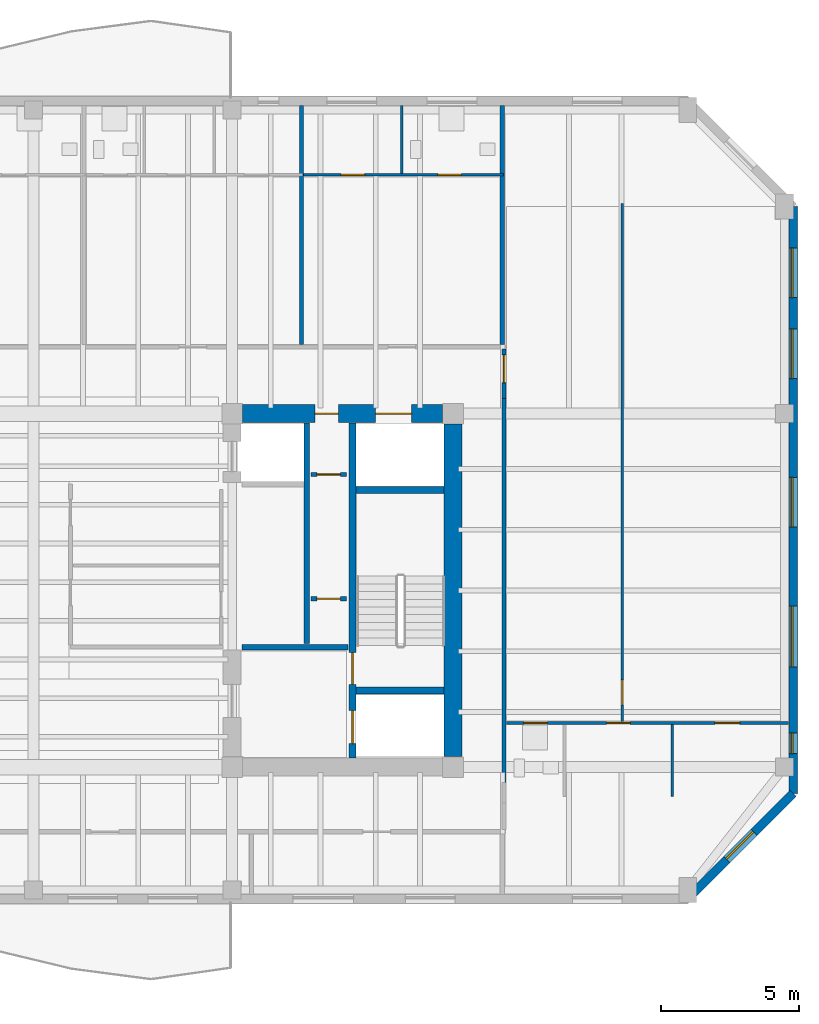
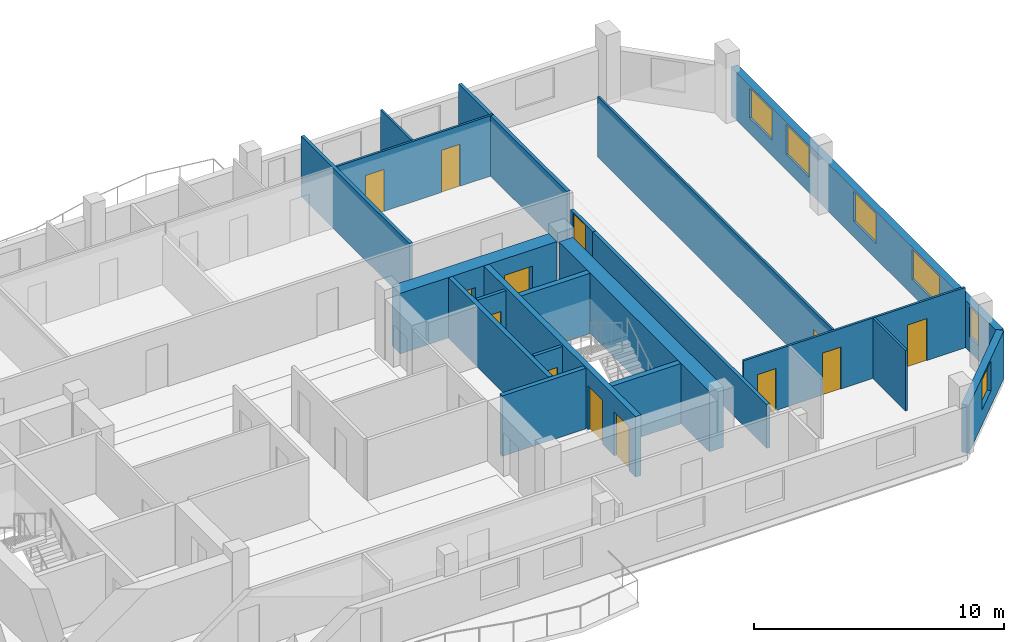
# One storey, part 6 of 10: 20 walls, 13 doors, 6 windows, 19 openings.
"""IFC4 building model written with IfcOpenShell, lengths in metres."""

from ifc_helpers import new_model, si_unit, direction, frame, frame_2d, origin, place, context, subcontext, project, spatial, rectangle, extrude, material, layer, layer_set, type_object, element, fill, save


model = new_model("IFC4")

# Units and contexts
model_context = context("Model", 3, precision=1e-05, world=origin(), true_north=direction((0.0, 1.0)))
body_context = subcontext(model_context, "Body", "Model", "MODEL_VIEW")
ifc_project = project(units=[si_unit("LENGTHUNIT", "METRE"), si_unit("AREAUNIT", "SQUARE_METRE"), si_unit("VOLUMEUNIT", "CUBIC_METRE"), si_unit("PLANEANGLEUNIT", "RADIAN"), si_unit("MASSUNIT", "GRAM", prefix="KILO")], contexts=[model_context])

# Site, building, storey
site_placement = place(None, origin())
site = spatial("IfcSite", under=ifc_project, at=site_placement, CompositionType="ELEMENT")
building_placement = place(site_placement, origin())
building = spatial("IfcBuilding", under=site, at=building_placement, Name="Kranthara Brick Stack", CompositionType="ELEMENT")
storey_placement = place(building_placement, frame((0.0, 0.0, 265.300048828125)))
storey = spatial("IfcBuildingStorey", under=building, at=storey_placement, Name="L70", CompositionType="ELEMENT", Elevation=265.300048828125)

# Wall, openings, windows
ifc_material_1 = material(Name="Warm buff clay brick masonry M15", Category="masonry")
ifc_layer_1 = layer(ifc_material_1, 0.320068359375)
ifc_layer_set_1 = layer_set([ifc_layer_1], Name="Warm buff clay brick masonry M15")
wall_type_1 = type_object("IfcWallType", Name="WL-BRK-UPPR-320", PredefinedType="STANDARD", material=ifc_layer_set_1)
wall_1_placement = place(storey_placement, frame((55.52001953125, 41.10009765625, 0.0), z_axis=(0.0, 0.0, 1.0), x_axis=(0.0, -1.0, 0.0)))
wall_1 = element("IfcWall", 1, at=wall_1_placement, inside=storey, type_object=wall_type_1, Name="L70 Exterior Brick Facade Wall EAST 1", PredefinedType="STANDARD", context=body_context, shape_type="SweptSolid", body=[
    extrude(rectangle(XDim=21.25, YDim=0.320068359375, at=frame_2d((10.625, 0.0))), origin(), (0.0, 0.0, 1.0), 2.3349609375),
])
opening_1_placement = place(wall_1_placement, frame((1.492919921875, 0.0, 0.75)))
opening_1 = element("IfcOpeningElement", 2, at=opening_1_placement, cuts=wall_1, Name="Opening WN07", PredefinedType="OPENING", context=body_context, shape_type="SweptSolid", body=[
    extrude(rectangle(XDim=1.800048828125, YDim=1.465087890625, at=frame_2d((0.89990234375, 0.732421875))), frame((0.0, 0.169921875, 0.0), z_axis=(0.0, -1.0, 0.0), x_axis=(1.0, 0.0, 0.0)), (0.0, 0.0, 1.0), 0.340087890625),
])
opening_2_placement = place(wall_1_placement, frame((4.431884765625, 0.0, 0.75)))
opening_2 = element("IfcOpeningElement", 3, at=opening_2_placement, cuts=wall_1, Name="Opening WN07", PredefinedType="OPENING", context=body_context, shape_type="SweptSolid", body=[
    extrude(rectangle(XDim=1.800048828125, YDim=1.465087890625, at=frame_2d((0.89990234375, 0.732421875))), frame((0.0, 0.169921875, 0.0), z_axis=(0.0, -1.0, 0.0), x_axis=(1.0, 0.0, 0.0)), (0.0, 0.0, 1.0), 0.340087890625),
])
opening_3_placement = place(wall_1_placement, frame((9.806884765625, 0.0, 0.75)))
opening_3 = element("IfcOpeningElement", 4, at=opening_3_placement, cuts=wall_1, Name="Opening WN07", PredefinedType="OPENING", context=body_context, shape_type="SweptSolid", body=[
    extrude(rectangle(XDim=1.800048828125, YDim=1.465087890625, at=frame_2d((0.89990234375, 0.732421875))), frame((0.0, 0.169921875, 0.0), z_axis=(0.0, -1.0, 0.0), x_axis=(1.0, 0.0, 0.0)), (0.0, 0.0, 1.0), 0.340087890625),
])
opening_4_placement = place(wall_1_placement, frame((14.468017578125, 0.0, 0.75)))
opening_4 = element("IfcOpeningElement", 5, at=opening_4_placement, cuts=wall_1, Name="Opening WN08", PredefinedType="OPENING", context=body_context, shape_type="SweptSolid", body=[
    extrude(rectangle(XDim=2.199951171875, YDim=1.465087890625, at=frame_2d((1.10009765625, 0.732421875))), frame((0.0, 0.169921875, 0.0), z_axis=(0.0, -1.0, 0.0), x_axis=(1.0, 0.0, 0.0)), (0.0, 0.0, 1.0), 0.340087890625),
])
opening_5_placement = place(wall_1_placement, frame((19.06201171875, 0.0, 0.75)))
opening_5 = element("IfcOpeningElement", 6, at=opening_5_placement, cuts=wall_1, Name="Opening WN13", PredefinedType="OPENING", context=body_context, shape_type="SweptSolid", body=[
    extrude(rectangle(XDim=0.75, YDim=1.449951171875, at=frame_2d((0.375, 0.72509765625))), frame((0.0, 0.169921875, 0.0), z_axis=(0.0, -1.0, 0.0), x_axis=(1.0, 0.0, 0.0)), (0.0, 0.0, 1.0), 0.340087890625),
])
ifc_material_2 = material(Name="Double-glazed low-E solar control glass", Category="glass")
window_type_1 = type_object("IfcWindowType", Name="WN-CAS-750x1450", PartitioningType="SINGLE_PANEL", PredefinedType="WINDOW", material=ifc_material_2)
window_1_placement = place(opening_5_placement, origin())
window_1 = element("IfcWindow", 7, at=window_1_placement, inside=storey, type_object=window_type_1, Name="L70 East Deep-Set Casement Window 05", OverallHeight=1.449951171875, OverallWidth=0.75, PartitioningType="SINGLE_PANEL", PredefinedType="WINDOW", context=body_context, shape_type="SweptSolid", body=[
    extrude(rectangle(XDim=0.75, YDim=1.449951171875, at=frame_2d((0.375, 0.72509765625))), frame((0.0, -0.010009765625, 0.0), z_axis=(0.0, -1.0, 0.0), x_axis=(1.0, 0.0, 0.0)), (0.0, 0.0, 1.0), 0.06005859375),
])
fill(opening_5, window_1)
ifc_material_3 = material(Name="Double-glazed low-E solar control glass", Category="glass")
window_type_2 = type_object("IfcWindowType", Name="WN-RES-1800x1850", PartitioningType="DOUBLE_PANEL_VERTICAL", PredefinedType="WINDOW", material=ifc_material_3)
window_2_placement = place(opening_1_placement, origin())
window_2 = element("IfcWindow", 8, at=window_2_placement, inside=storey, type_object=window_type_2, Name="L70 East Deep-Set Brick Window 01", OverallHeight=1.465087890625, OverallWidth=1.800048828125, PartitioningType="SINGLE_PANEL", PredefinedType="WINDOW", context=body_context, shape_type="SweptSolid", body=[
    extrude(rectangle(XDim=1.800048828125, YDim=1.465087890625, at=frame_2d((0.89990234375, 0.732421875))), frame((0.0, -0.010009765625, 0.0), z_axis=(0.0, -1.0, 0.0), x_axis=(1.0, 0.0, 0.0)), (0.0, 0.0, 1.0), 0.06005859375),
])
fill(opening_1, window_2)
window_3_placement = place(opening_2_placement, origin())
window_3 = element("IfcWindow", 9, at=window_3_placement, inside=storey, type_object=window_type_2, Name="L70 East Deep-Set Brick Window 02", OverallHeight=1.465087890625, OverallWidth=1.800048828125, PartitioningType="SINGLE_PANEL", PredefinedType="WINDOW", context=body_context, shape_type="SweptSolid", body=[
    extrude(rectangle(XDim=1.800048828125, YDim=1.465087890625, at=frame_2d((0.89990234375, 0.732421875))), frame((0.0, -0.010009765625, 0.0), z_axis=(0.0, -1.0, 0.0), x_axis=(1.0, 0.0, 0.0)), (0.0, 0.0, 1.0), 0.06005859375),
])
fill(opening_2, window_3)
window_4_placement = place(opening_3_placement, origin())
window_4 = element("IfcWindow", 10, at=window_4_placement, inside=storey, type_object=window_type_2, Name="L70 East Deep-Set Brick Window 03", OverallHeight=1.465087890625, OverallWidth=1.800048828125, PartitioningType="SINGLE_PANEL", PredefinedType="WINDOW", context=body_context, shape_type="SweptSolid", body=[
    extrude(rectangle(XDim=1.800048828125, YDim=1.465087890625, at=frame_2d((0.89990234375, 0.732421875))), frame((0.0, -0.010009765625, 0.0), z_axis=(0.0, -1.0, 0.0), x_axis=(1.0, 0.0, 0.0)), (0.0, 0.0, 1.0), 0.06005859375),
])
fill(opening_3, window_4)
ifc_material_4 = material(Name="Double-glazed low-E solar control glass", Category="glass")
window_type_3 = type_object("IfcWindowType", Name="WN-RES-2200x1850", PartitioningType="TRIPLE_PANEL_VERTICAL", PredefinedType="WINDOW", material=ifc_material_4)
window_5_placement = place(opening_4_placement, origin())
window_5 = element("IfcWindow", 11, at=window_5_placement, inside=storey, type_object=window_type_3, Name="L70 East Deep-Set Brick Window 04", OverallHeight=1.465087890625, OverallWidth=2.199951171875, PartitioningType="SINGLE_PANEL", PredefinedType="WINDOW", context=body_context, shape_type="SweptSolid", body=[
    extrude(rectangle(XDim=2.199951171875, YDim=1.465087890625, at=frame_2d((1.10009765625, 0.732421875))), frame((0.0, -0.010009765625, 0.0), z_axis=(0.0, -1.0, 0.0), x_axis=(1.0, 0.0, 0.0)), (0.0, 0.0, 1.0), 0.06005859375),
])
fill(opening_4, window_5)

# Wall, opening, window
wall_2_placement = place(storey_placement, frame((55.52001953125, 19.85009765625, 0.0), z_axis=(0.0, 0.0, 1.0), x_axis=(-0.707106781187, -0.707106781187, 0.0)))
wall_2 = element("IfcWall", 12, at=wall_2_placement, inside=storey, type_object=wall_type_1, Name="L70 Exterior Brick Facade Wall SE 1", PredefinedType="STANDARD", context=body_context, shape_type="SweptSolid", body=[
    extrude(rectangle(XDim=5.40234375, YDim=0.320068359375, at=frame_2d((2.701171875, 0.0))), origin(), (0.0, 0.0, 1.0), 2.3349609375),
])
opening_6_placement = place(wall_2_placement, frame((2.0009765625, 0.0, 0.75)))
opening_6 = element("IfcOpeningElement", 13, at=opening_6_placement, cuts=wall_2, Name="Opening WN10", PredefinedType="OPENING", context=body_context, shape_type="SweptSolid", body=[
    extrude(rectangle(XDim=1.39990234375, YDim=1.465087890625, at=frame_2d((0.699951171875, 0.732421875))), frame((0.0, 0.169921875, 0.0), z_axis=(0.0, -1.0, 0.0), x_axis=(1.0, 0.0, 0.0)), (0.0, 0.0, 1.0), 0.340087890625),
])
ifc_material_5 = material(Name="Double-glazed low-E solar control glass", Category="glass")
window_type_4 = type_object("IfcWindowType", Name="WN-CHM-1400x1750", PartitioningType="SINGLE_PANEL", PredefinedType="WINDOW", material=ifc_material_5)
window_6_placement = place(opening_6_placement, origin())
window_6 = element("IfcWindow", 14, at=window_6_placement, inside=storey, type_object=window_type_4, Name="L70 SE Chamfer Corner Window", OverallHeight=1.465087890625, OverallWidth=1.39990234375, PartitioningType="SINGLE_PANEL", PredefinedType="WINDOW", context=body_context, shape_type="SweptSolid", body=[
    extrude(rectangle(XDim=1.39990234375, YDim=1.465087890625, at=frame_2d((0.699951171875, 0.732421875))), frame((0.0, -0.010009765625, 0.0), z_axis=(0.0, -1.0, 0.0), x_axis=(1.0, 0.0, 0.0)), (0.0, 0.0, 1.0), 0.06005859375),
])
fill(opening_6, window_6)

# Wall, openings, doors
ifc_material_6 = material(Name="Concrete C50/60", Category="concrete")
ifc_layer_2 = layer(ifc_material_6, 0.25)
ifc_layer_set_2 = layer_set([ifc_layer_2], Name="Concrete C50/60")
wall_type_2 = type_object("IfcWallType", Name="WL-CORE-250", PredefinedType="SHEAR", material=ifc_layer_set_2)
wall_3_placement = place(storey_placement, frame((39.56494140625, 21.135009765625, 0.0), z_axis=(0.0, 0.0, 1.0), x_axis=(0.0, 1.0, 0.0)))
wall_3 = element("IfcWall", 15, at=wall_3_placement, inside=storey, type_object=wall_type_2, Name="L70 East Core Stair Bearing Spine Wall", PredefinedType="SHEAR", context=body_context, shape_type="SweptSolid", body=[
    extrude(rectangle(XDim=12.1298828125, YDim=0.25, at=frame_2d((6.06494140625, 0.0))), origin(), (0.0, 0.0, 1.0), 2.949951171875),
])
opening_7_placement = place(wall_3_placement, frame((0.514892578125, 0.0, 0.0)))
opening_7 = element("IfcOpeningElement", 16, at=opening_7_placement, cuts=wall_3, Name="Opening LD01", PredefinedType="OPENING", context=body_context, shape_type="SweptSolid", body=[
    extrude(rectangle(XDim=1.199951171875, YDim=2.14990234375, at=frame_2d((0.60009765625, 1.074951171875))), frame((0.0, 0.135009765625, 0.0), z_axis=(0.0, -1.0, 0.0), x_axis=(1.0, 0.0, 0.0)), (0.0, 0.0, 1.0), 0.27001953125),
])
opening_8_placement = place(wall_3_placement, frame((2.6650390625, 0.0, 0.0)))
opening_8 = element("IfcOpeningElement", 17, at=opening_8_placement, cuts=wall_3, Name="Opening D05", PredefinedType="OPENING", context=body_context, shape_type="SweptSolid", body=[
    extrude(rectangle(XDim=1.14990234375, YDim=2.14990234375, at=frame_2d((0.574951171875, 1.074951171875))), frame((0.0, 0.135009765625, 0.0), z_axis=(0.0, -1.0, 0.0), x_axis=(1.0, 0.0, 0.0)), (0.0, 0.0, 1.0), 0.27001953125),
])
ifc_material_7 = material(Name="Stainless steel sliding landing door", Category="steel")
door_type_1 = type_object("IfcDoorType", Name="DR-LD-FF1200", OperationType="DOUBLE_DOOR_SLIDING", PredefinedType="DOOR", material=ifc_material_7)
door_1_placement = place(opening_7_placement, origin())
door_1 = element("IfcDoor", 18, at=door_1_placement, inside=storey, type_object=door_type_1, Name="L70 Firefighting Lift FF-02 Landing Door", OperationType="DOUBLE_DOOR_SLIDING", OverallHeight=2.14990234375, OverallWidth=1.199951171875, PredefinedType="DOOR", context=body_context, shape_type="SweptSolid", body=[
    extrude(rectangle(XDim=1.199951171875, YDim=2.14990234375, at=frame_2d((0.60009765625, 1.074951171875))), frame((0.0, 0.02490234375, 0.0), z_axis=(0.0, -1.0, 0.0), x_axis=(1.0, 0.0, 0.0)), (0.0, 0.0, 1.0), 0.050048828125),
])
fill(opening_7, door_1)
ifc_material_8 = material(Name="Solid-core hardwood timber leaf in steel frame", Category="steel")
door_type_2 = type_object("IfcDoorType", Name="DR-ST-1150", OperationType="NOTDEFINED", PredefinedType="DOOR", material=ifc_material_8)
door_2_placement = place(opening_8_placement, origin())
door_2 = element("IfcDoor", 19, at=door_2_placement, inside=storey, type_object=door_type_2, Name="L70 Exit Stair ST02 Door", OperationType="SINGLE_SWING_LEFT", OverallHeight=2.14990234375, OverallWidth=1.14990234375, PredefinedType="DOOR", context=body_context, shape_type="SweptSolid", body=[
    extrude(rectangle(XDim=1.14990234375, YDim=2.14990234375, at=frame_2d((0.574951171875, 1.074951171875))), frame((0.0, 0.02490234375, 0.0), z_axis=(0.0, -1.0, 0.0), x_axis=(1.0, 0.0, 0.0)), (0.0, 0.0, 1.0), 0.050048828125),
])
fill(opening_8, door_2)

# Walls
for number, where, z_axis, x_axis, name in (
    (20, (39.68994140625, 23.570068359375, 0.0), (0.0, 0.0, 1.0), (1.0, 0.0, 0.0), "L70 East Stairwell Bearing Wall EFF"),
    (21, (39.68994140625, 30.830078125, 0.0), (0.0, 0.0, 1.0), (1.0, 0.0, 0.0), "L70 East Stairwell Bearing Wall EST"),
):
    element("IfcWall", number, at=place(storey_placement, frame(where, z_axis=z_axis, x_axis=x_axis)), inside=storey, type_object=wall_type_2, Name=name, PredefinedType="SHEAR", context=body_context, shape_type="SweptSolid", body=[
        extrude(rectangle(XDim=3.175048828125, YDim=0.25, at=frame_2d((1.58740234375, 0.0))), origin(), (0.0, 0.0, 1.0), 2.949951171875),
    ])
ifc_material_9 = material(Name="Concrete C60/75", Category="concrete")
ifc_layer_3 = layer(ifc_material_9, 0.64990234375)
ifc_layer_set_3 = layer_set([ifc_layer_3], Name="Concrete C60/75")
wall_type_3 = type_object("IfcWallType", Name="WL-CORE-650", PredefinedType="SHEAR", material=ifc_layer_set_3)
wall_4_placement = place(storey_placement, frame((43.199951171875, 21.179931640625, 0.0), z_axis=(0.0, 0.0, 1.0), x_axis=(0.0, 1.0, 0.0)))
element("IfcWall", 22, at=wall_4_placement, inside=storey, type_object=wall_type_3, Name="L70 East Core Shear Wall East", PredefinedType="SHEAR", context=body_context, shape_type="SweptSolid", body=[
    extrude(rectangle(XDim=12.0400390625, YDim=0.64990234375, at=frame_2d((6.02001953125, 0.0))), origin(), (0.0, 0.0, 1.0), 2.949951171875),
])

# Wall, openings, doors
wall_5_placement = place(storey_placement, frame((35.580078125, 33.60009765625, 0.0), z_axis=(0.0, 0.0, 1.0), x_axis=(1.0, 0.0, 0.0)))
wall_5 = element("IfcWall", 23, at=wall_5_placement, inside=storey, type_object=wall_type_3, Name="L70 East Core Shear Wall North", PredefinedType="SHEAR", context=body_context, shape_type="SweptSolid", body=[
    extrude(rectangle(XDim=7.239990234375, YDim=0.64990234375, at=frame_2d((3.6201171875, 0.0))), origin(), (0.0, 0.0, 1.0), 2.949951171875),
])
opening_9_placement = place(wall_5_placement, frame((4.820068359375, 0.0, 0.0)))
opening_9 = element("IfcOpeningElement", 24, at=opening_9_placement, cuts=wall_5, Name="Opening LD03", PredefinedType="OPENING", context=body_context, shape_type="SweptSolid", body=[
    extrude(rectangle(XDim=1.300048828125, YDim=2.14990234375, at=frame_2d((0.64990234375, 1.074951171875))), frame((0.0, 0.3349609375, 0.0), z_axis=(0.0, -1.0, 0.0), x_axis=(1.0, 0.0, 0.0)), (0.0, 0.0, 1.0), 0.669921875),
])
opening_10_placement = place(wall_5_placement, frame((2.6201171875, 0.0, 0.0)))
opening_10 = element("IfcOpeningElement", 25, at=opening_10_placement, cuts=wall_5, Name="Opening D10", PredefinedType="OPENING", context=body_context, shape_type="SweptSolid", body=[
    extrude(rectangle(XDim=0.85009765625, YDim=2.02001953125, at=frame_2d((0.425048828125, 1.010009765625))), frame((0.0, 0.3349609375, 0.0), z_axis=(0.0, -1.0, 0.0), x_axis=(1.0, 0.0, 0.0)), (0.0, 0.0, 1.0), 0.669921875),
])
ifc_material_10 = material(Name="Stainless steel sliding landing door", Category="steel")
door_type_3 = type_object("IfcDoorType", Name="DR-LD-SV1300", OperationType="DOUBLE_DOOR_SLIDING", PredefinedType="DOOR", material=ifc_material_10)
door_3_placement = place(opening_9_placement, origin())
door_3 = element("IfcDoor", 26, at=door_3_placement, inside=storey, type_object=door_type_3, Name="L70 Stretcher Service Lift SV-01 Landing Door", OperationType="DOUBLE_DOOR_SLIDING", OverallHeight=2.14990234375, OverallWidth=1.300048828125, PredefinedType="DOOR", context=body_context, shape_type="SweptSolid", body=[
    extrude(rectangle(XDim=1.300048828125, YDim=2.14990234375, at=frame_2d((0.64990234375, 1.074951171875))), frame((0.0, 0.02490234375, 0.0), z_axis=(0.0, -1.0, 0.0), x_axis=(1.0, 0.0, 0.0)), (0.0, 0.0, 1.0), 0.050048828125),
])
fill(opening_9, door_3)
ifc_material_11 = material(Name="Solid-core hardwood timber leaf in steel frame", Category="steel")
door_type_4 = type_object("IfcDoorType", Name="DR-RSR-850", OperationType="NOTDEFINED", PredefinedType="DOOR", material=ifc_material_11)
door_4_placement = place(opening_10_placement, origin())
door_4 = element("IfcDoor", 27, at=door_4_placement, inside=storey, type_object=door_type_4, Name="L70 East Core Service Room Door", OperationType="SINGLE_SWING_LEFT", OverallHeight=2.02001953125, OverallWidth=0.85009765625, PredefinedType="DOOR", context=body_context, shape_type="SweptSolid", body=[
    extrude(rectangle(XDim=0.85009765625, YDim=2.02001953125, at=frame_2d((0.425048828125, 1.010009765625))), frame((0.0, 0.02490234375, 0.0), z_axis=(0.0, -1.0, 0.0), x_axis=(1.0, 0.0, 0.0)), (0.0, 0.0, 1.0), 0.050048828125),
])
fill(opening_10, door_4)

ifc_material_12 = material(Name="Moisture-resistant wet-room partition", Category="other")
ifc_layer_4 = layer(ifc_material_12, 0.10009765625)
ifc_layer_set_4 = layer_set([ifc_layer_4], Name="Moisture-resistant wet-room partition")
wall_type_4 = type_object("IfcWallType", Name="WL-PART-100", PredefinedType="PARTITIONING", material=ifc_layer_set_4)
wall_6_placement = place(storey_placement, frame((37.79296875, 42.25, 0.0), z_axis=(0.0, 0.0, 1.0), x_axis=(1.0, 0.0, 0.0)))
wall_6 = element("IfcWall", 28, at=wall_6_placement, inside=storey, type_object=wall_type_4, Name="L70 Interior Partition 029", PredefinedType="PARTITIONING", context=body_context, shape_type="SweptSolid", body=[
    extrude(rectangle(XDim=7.22705078125, YDim=0.10009765625, at=frame_2d((3.613525390625, 0.0))), origin(), (0.0, 0.0, 1.0), 2.949951171875),
])
opening_11_placement = place(wall_6_placement, frame((1.35205078125, 0.0, 0.0)))
opening_11 = element("IfcOpeningElement", 29, at=opening_11_placement, cuts=wall_6, Name="Opening D16", PredefinedType="OPENING", context=body_context, shape_type="SweptSolid", body=[
    extrude(rectangle(XDim=0.85009765625, YDim=2.050048828125, at=frame_2d((0.425048828125, 1.02490234375))), frame((0.0, 0.06005859375, 0.0), z_axis=(0.0, -1.0, 0.0), x_axis=(1.0, 0.0, 0.0)), (0.0, 0.0, 1.0), 0.1201171875),
])
opening_12_placement = place(wall_6_placement, frame((4.85498046875, 0.0, 0.0)))
opening_12 = element("IfcOpeningElement", 30, at=opening_12_placement, cuts=wall_6, Name="Opening D17", PredefinedType="OPENING", context=body_context, shape_type="SweptSolid", body=[
    extrude(rectangle(XDim=0.85009765625, YDim=2.050048828125, at=frame_2d((0.425048828125, 1.02490234375))), frame((0.0, 0.06005859375, 0.0), z_axis=(0.0, -1.0, 0.0), x_axis=(1.0, 0.0, 0.0)), (0.0, 0.0, 1.0), 0.1201171875),
])
ifc_material_13 = material(Name="Solid-core hardwood timber leaf in steel frame", Category="steel")
door_type_5 = type_object("IfcDoorType", Name="DR-INT-850", OperationType="NOTDEFINED", PredefinedType="DOOR", material=ifc_material_13)
door_5_placement = place(opening_11_placement, origin())
door_5 = element("IfcDoor", 31, at=door_5_placement, inside=storey, type_object=door_type_5, Name="L70 Unit L70D Kitchen 24", OperationType="SINGLE_SWING_RIGHT", OverallHeight=2.050048828125, OverallWidth=0.85009765625, PredefinedType="DOOR", context=body_context, shape_type="SweptSolid", body=[
    extrude(rectangle(XDim=0.85009765625, YDim=2.050048828125, at=frame_2d((0.425048828125, 1.02490234375))), frame((0.0, 0.02490234375, 0.0), z_axis=(0.0, -1.0, 0.0), x_axis=(1.0, 0.0, 0.0)), (0.0, 0.0, 1.0), 0.050048828125),
])
fill(opening_11, door_5)
ifc_material_14 = material(Name="Solid-core hardwood timber leaf in steel frame", Category="steel")
door_type_6 = type_object("IfcDoorType", Name="DR-WET-850", OperationType="NOTDEFINED", PredefinedType="DOOR", material=ifc_material_14)
door_6_placement = place(opening_12_placement, origin())
door_6 = element("IfcDoor", 32, at=door_6_placement, inside=storey, type_object=door_type_6, Name="L70 Unit L70D Bathroom 25", OperationType="SINGLE_SWING_LEFT", OverallHeight=2.050048828125, OverallWidth=0.85009765625, PredefinedType="DOOR", context=body_context, shape_type="SweptSolid", body=[
    extrude(rectangle(XDim=0.85009765625, YDim=2.050048828125, at=frame_2d((0.425048828125, 1.02490234375))), frame((0.0, 0.02490234375, 0.0), z_axis=(0.0, -1.0, 0.0), x_axis=(1.0, 0.0, 0.0)), (0.0, 0.0, 1.0), 0.050048828125),
])
fill(opening_12, door_6)

# Wall
wall_7_placement = place(storey_placement, frame((41.345947265625, 42.304931640625, 0.0), z_axis=(0.0, 0.0, 1.0), x_axis=(0.0, 1.0, 0.0)))
element("IfcWall", 33, at=wall_7_placement, inside=storey, type_object=wall_type_4, Name="L70 Interior Partition 030", PredefinedType="PARTITIONING", context=body_context, shape_type="SweptSolid", body=[
    extrude(rectangle(XDim=2.449951171875, YDim=0.10009765625, at=frame_2d((1.22509765625, 0.0))), origin(), (0.0, 0.0, 1.0), 2.949951171875),
])

# Wall, openings, doors
wall_8_placement = place(storey_placement, frame((45.1298828125, 22.39990234375, 0.0), z_axis=(0.0, 0.0, 1.0), x_axis=(1.0, 0.0, 0.0)))
wall_8 = element("IfcWall", 34, at=wall_8_placement, inside=storey, type_object=wall_type_4, Name="L70 Interior Partition 037", PredefinedType="PARTITIONING", context=body_context, shape_type="SweptSolid", body=[
    extrude(rectangle(XDim=10.22509765625, YDim=0.10009765625, at=frame_2d((5.112548828125, 0.0))), origin(), (0.0, 0.0, 1.0), 2.949951171875),
])
opening_13_placement = place(wall_8_placement, frame((0.635009765625, 0.0, 0.0)))
opening_13 = element("IfcOpeningElement", 35, at=opening_13_placement, cuts=wall_8, Name="Opening D17", PredefinedType="OPENING", context=body_context, shape_type="SweptSolid", body=[
    extrude(rectangle(XDim=0.85009765625, YDim=2.050048828125, at=frame_2d((0.425048828125, 1.02490234375))), frame((0.0, 0.06005859375, 0.0), z_axis=(0.0, -1.0, 0.0), x_axis=(1.0, 0.0, 0.0)), (0.0, 0.0, 1.0), 0.1201171875),
])
opening_14_placement = place(wall_8_placement, frame((3.632080078125, 0.0, 0.0)))
opening_14 = element("IfcOpeningElement", 36, at=opening_14_placement, cuts=wall_8, Name="Opening D16", PredefinedType="OPENING", context=body_context, shape_type="SweptSolid", body=[
    extrude(rectangle(XDim=0.85009765625, YDim=2.050048828125, at=frame_2d((0.425048828125, 1.02490234375))), frame((0.0, 0.06005859375, 0.0), z_axis=(0.0, -1.0, 0.0), x_axis=(1.0, 0.0, 0.0)), (0.0, 0.0, 1.0), 0.1201171875),
])
opening_15_placement = place(wall_8_placement, frame((7.552001953125, 0.0, 0.0)))
opening_15 = element("IfcOpeningElement", 37, at=opening_15_placement, cuts=wall_8, Name="Opening D15", PredefinedType="OPENING", context=body_context, shape_type="SweptSolid", body=[
    extrude(rectangle(XDim=0.89990234375, YDim=2.050048828125, at=frame_2d((0.449951171875, 1.02490234375))), frame((0.0, 0.06005859375, 0.0), z_axis=(0.0, -1.0, 0.0), x_axis=(1.0, 0.0, 0.0)), (0.0, 0.0, 1.0), 0.1201171875),
])
door_7_placement = place(opening_14_placement, origin())
door_7 = element("IfcDoor", 38, at=door_7_placement, inside=storey, type_object=door_type_5, Name="L70 Unit L70E Kitchen 29", OperationType="SINGLE_SWING_LEFT", OverallHeight=2.050048828125, OverallWidth=0.85009765625, PredefinedType="DOOR", context=body_context, shape_type="SweptSolid", body=[
    extrude(rectangle(XDim=0.85009765625, YDim=2.050048828125, at=frame_2d((0.425048828125, 1.02490234375))), frame((0.0, 0.02490234375, 0.0), z_axis=(0.0, -1.0, 0.0), x_axis=(1.0, 0.0, 0.0)), (0.0, 0.0, 1.0), 0.050048828125),
])
fill(opening_14, door_7)
ifc_material_15 = material(Name="Solid-core hardwood timber leaf in steel frame", Category="steel")
door_type_7 = type_object("IfcDoorType", Name="DR-INT-900", OperationType="NOTDEFINED", PredefinedType="DOOR", material=ifc_material_15)
door_8_placement = place(opening_15_placement, origin())
door_8 = element("IfcDoor", 39, at=door_8_placement, inside=storey, type_object=door_type_7, Name="L70 Unit L70E Bedroom 30", OperationType="SINGLE_SWING_RIGHT", OverallHeight=2.050048828125, OverallWidth=0.89990234375, PredefinedType="DOOR", context=body_context, shape_type="SweptSolid", body=[
    extrude(rectangle(XDim=0.89990234375, YDim=2.050048828125, at=frame_2d((0.449951171875, 1.02490234375))), frame((0.0, 0.02490234375, 0.0), z_axis=(0.0, -1.0, 0.0), x_axis=(1.0, 0.0, 0.0)), (0.0, 0.0, 1.0), 0.050048828125),
])
fill(opening_15, door_8)
door_9_placement = place(opening_13_placement, origin())
door_9 = element("IfcDoor", 40, at=door_9_placement, inside=storey, type_object=door_type_6, Name="L70 Unit L70E Bathroom 28", OperationType="SINGLE_SWING_RIGHT", OverallHeight=2.050048828125, OverallWidth=0.85009765625, PredefinedType="DOOR", context=body_context, shape_type="SweptSolid", body=[
    extrude(rectangle(XDim=0.85009765625, YDim=2.050048828125, at=frame_2d((0.425048828125, 1.02490234375))), frame((0.0, 0.02490234375, 0.0), z_axis=(0.0, -1.0, 0.0), x_axis=(1.0, 0.0, 0.0)), (0.0, 0.0, 1.0), 0.050048828125),
])
fill(opening_13, door_9)

# Wall, opening, door
wall_9_placement = place(storey_placement, frame((49.3291015625, 22.455078125, 0.0), z_axis=(0.0, 0.0, 1.0), x_axis=(0.0, 1.0, 0.0)))
wall_9 = element("IfcWall", 41, at=wall_9_placement, inside=storey, type_object=wall_type_4, Name="L70 Interior Partition 038", PredefinedType="PARTITIONING", context=body_context, shape_type="SweptSolid", body=[
    extrude(rectangle(XDim=18.764892578125, YDim=0.10009765625, at=frame_2d((9.38232421875, 0.0))), origin(), (0.0, 0.0, 1.0), 2.949951171875),
])
opening_16_placement = place(wall_9_placement, frame((0.60498046875, 0.0, 0.0)))
opening_16 = element("IfcOpeningElement", 42, at=opening_16_placement, cuts=wall_9, Name="Opening D15", PredefinedType="OPENING", context=body_context, shape_type="SweptSolid", body=[
    extrude(rectangle(XDim=0.89990234375, YDim=2.050048828125, at=frame_2d((0.449951171875, 1.02490234375))), frame((0.0, 0.06005859375, 0.0), z_axis=(0.0, -1.0, 0.0), x_axis=(1.0, 0.0, 0.0)), (0.0, 0.0, 1.0), 0.1201171875),
])
door_10_placement = place(opening_16_placement, origin())
door_10 = element("IfcDoor", 43, at=door_10_placement, inside=storey, type_object=door_type_7, Name="L70 Unit L70E Study 27", OperationType="SINGLE_SWING_LEFT", OverallHeight=2.050048828125, OverallWidth=0.89990234375, PredefinedType="DOOR", context=body_context, shape_type="SweptSolid", body=[
    extrude(rectangle(XDim=0.89990234375, YDim=2.050048828125, at=frame_2d((0.449951171875, 1.02490234375))), frame((0.0, 0.02490234375, 0.0), z_axis=(0.0, -1.0, 0.0), x_axis=(1.0, 0.0, 0.0)), (0.0, 0.0, 1.0), 0.050048828125),
])
fill(opening_16, door_10)

# Wall
wall_10_placement = place(storey_placement, frame((51.134033203125, 19.72998046875, 0.0), z_axis=(0.0, 0.0, 1.0), x_axis=(0.0, 1.0, 0.0)))
element("IfcWall", 44, at=wall_10_placement, inside=storey, type_object=wall_type_4, Name="L70 Interior Partition 040", PredefinedType="PARTITIONING", context=body_context, shape_type="SweptSolid", body=[
    extrude(rectangle(XDim=2.614990234375, YDim=0.10009765625, at=frame_2d((1.3076171875, 0.0))), origin(), (0.0, 0.0, 1.0), 2.949951171875),
])

# Wall, opening, door
ifc_material_16 = material(Name="Fire-rated gypsum board partition", Category="other")
ifc_layer_5 = layer(ifc_material_16, 0.14990234375)
ifc_layer_set_5 = layer_set([ifc_layer_5], Name="Fire-rated gypsum board partition")
wall_type_5 = type_object("IfcWallType", Name="WL-PART-150", PredefinedType="PARTITIONING", material=ifc_layer_set_5)
wall_11_placement = place(storey_placement, frame((38.050048828125, 26.89990234375, 0.0), z_axis=(0.0, 0.0, 1.0), x_axis=(1.0, 0.0, 0.0)))
wall_11 = element("IfcWall", 45, at=wall_11_placement, inside=storey, type_object=wall_type_5, Name="L70 Interior Partition 002", PredefinedType="PARTITIONING", context=body_context, shape_type="SweptSolid", body=[
    extrude(rectangle(XDim=1.300048828125, YDim=0.14990234375, at=frame_2d((0.64990234375, 0.0))), origin(), (0.0, 0.0, 1.0), 2.949951171875),
])
opening_17_placement = place(wall_11_placement, frame((0.219970703125, 0.0, 0.0)))
opening_17 = element("IfcOpeningElement", 46, at=opening_17_placement, cuts=wall_11, Name="Opening D10", PredefinedType="OPENING", context=body_context, shape_type="SweptSolid", body=[
    extrude(rectangle(XDim=0.85009765625, YDim=2.02001953125, at=frame_2d((0.425048828125, 1.010009765625))), frame((0.0, 0.0849609375, 0.0), z_axis=(0.0, -1.0, 0.0), x_axis=(1.0, 0.0, 0.0)), (0.0, 0.0, 1.0), 0.169921875),
])
door_11_placement = place(opening_17_placement, origin())
door_11 = element("IfcDoor", 47, at=door_11_placement, inside=storey, type_object=door_type_4, Name="L70 East Valve Door 02", OperationType="SINGLE_SWING_RIGHT", OverallHeight=2.02001953125, OverallWidth=0.85009765625, PredefinedType="DOOR", context=body_context, shape_type="SweptSolid", body=[
    extrude(rectangle(XDim=0.85009765625, YDim=2.02001953125, at=frame_2d((0.425048828125, 1.010009765625))), frame((0.0, 0.02490234375, 0.0), z_axis=(0.0, -1.0, 0.0), x_axis=(1.0, 0.0, 0.0)), (0.0, 0.0, 1.0), 0.050048828125),
])
fill(opening_17, door_11)

wall_12_placement = place(storey_placement, frame((38.050048828125, 31.39990234375, 0.0), z_axis=(0.0, 0.0, 1.0), x_axis=(1.0, 0.0, 0.0)))
wall_12 = element("IfcWall", 48, at=wall_12_placement, inside=storey, type_object=wall_type_5, Name="L70 Interior Partition 003", PredefinedType="PARTITIONING", context=body_context, shape_type="SweptSolid", body=[
    extrude(rectangle(XDim=1.300048828125, YDim=0.14990234375, at=frame_2d((0.64990234375, 0.0))), origin(), (0.0, 0.0, 1.0), 2.949951171875),
])
opening_18_placement = place(wall_12_placement, frame((0.219970703125, 0.0, 0.0)))
opening_18 = element("IfcOpeningElement", 49, at=opening_18_placement, cuts=wall_12, Name="Opening D10", PredefinedType="OPENING", context=body_context, shape_type="SweptSolid", body=[
    extrude(rectangle(XDim=0.85009765625, YDim=2.02001953125, at=frame_2d((0.425048828125, 1.010009765625))), frame((0.0, 0.0849609375, 0.0), z_axis=(0.0, -1.0, 0.0), x_axis=(1.0, 0.0, 0.0)), (0.0, 0.0, 1.0), 0.169921875),
])
door_12_placement = place(opening_18_placement, origin())
door_12 = element("IfcDoor", 50, at=door_12_placement, inside=storey, type_object=door_type_4, Name="L70 East Switch Door 03", OperationType="SINGLE_SWING_LEFT", OverallHeight=2.02001953125, OverallWidth=0.85009765625, PredefinedType="DOOR", context=body_context, shape_type="SweptSolid", body=[
    extrude(rectangle(XDim=0.85009765625, YDim=2.02001953125, at=frame_2d((0.425048828125, 1.010009765625))), frame((0.0, 0.02490234375, 0.0), z_axis=(0.0, -1.0, 0.0), x_axis=(1.0, 0.0, 0.0)), (0.0, 0.0, 1.0), 0.050048828125),
])
fill(opening_18, door_12)

# Walls
for number, where, z_axis, x_axis, name in (
    (51, (37.712890625, 36.10009765625, 0.0), (0.0, 0.0, 1.0), (0.0, 1.0, 0.0), "L70 Interior Partition 028"),
    (52, (44.97998046875, 36.10009765625, 0.0), (0.0, 0.0, 1.0), (0.0, 1.0, 0.0), "L70 Interior Partition 031"),
):
    element("IfcWall", number, at=place(storey_placement, frame(where, z_axis=z_axis, x_axis=x_axis)), inside=storey, type_object=wall_type_5, Name=name, PredefinedType="PARTITIONING", context=body_context, shape_type="SweptSolid", body=[
        extrude(rectangle(XDim=8.65478515625, YDim=0.14990234375, at=frame_2d((4.327392578125, 0.0))), origin(), (0.0, 0.0, 1.0), 2.949951171875),
    ])
wall_13_placement = place(storey_placement, frame((45.050048828125, 20.25, 0.0), z_axis=(0.0, 0.0, 1.0), x_axis=(0.0, 1.0, 0.0)))
element("IfcWall", 53, at=wall_13_placement, inside=storey, type_object=wall_type_5, Name="L70 Interior Partition 034", PredefinedType="PARTITIONING", context=body_context, shape_type="SweptSolid", body=[
    extrude(rectangle(XDim=13.89990234375, YDim=0.14990234375, at=frame_2d((6.949951171875, 0.0))), origin(), (0.0, 0.0, 1.0), 2.135009765625),
])

# Wall, opening, door
wall_14_placement = place(storey_placement, frame((45.050048828125, 34.14990234375, 0.0), z_axis=(0.0, 0.0, 1.0), x_axis=(0.0, 1.0, 0.0)))
wall_14 = element("IfcWall", 54, at=wall_14_placement, inside=storey, type_object=wall_type_5, Name="L70 Interior Partition 035", PredefinedType="PARTITIONING", context=body_context, shape_type="SweptSolid", body=[
    extrude(rectangle(XDim=1.7900390625, YDim=0.14990234375, at=frame_2d((0.89501953125, 0.0))), origin(), (0.0, 0.0, 1.0), 2.135009765625),
])
opening_19_placement = place(wall_14_placement, frame((0.580078125, 0.0, 0.0)))
opening_19 = element("IfcOpeningElement", 55, at=opening_19_placement, cuts=wall_14, Name="Opening D08", PredefinedType="OPENING", context=body_context, shape_type="SweptSolid", body=[
    extrude(rectangle(XDim=1.0, YDim=2.10009765625, at=frame_2d((0.5, 1.050048828125))), frame((0.0, 0.0849609375, 0.0), z_axis=(0.0, -1.0, 0.0), x_axis=(1.0, 0.0, 0.0)), (0.0, 0.0, 1.0), 0.169921875),
])
ifc_material_17 = material(Name="Solid-core hardwood timber leaf in steel frame", Category="steel")
door_type_8 = type_object("IfcDoorType", Name="DR-FD-1000", OperationType="NOTDEFINED", PredefinedType="DOOR", material=ifc_material_17)
door_13_placement = place(opening_19_placement, origin())
door_13 = element("IfcDoor", 56, at=door_13_placement, inside=storey, type_object=door_type_8, Name="L70 Unit L70E Entrance 26", OperationType="SINGLE_SWING_RIGHT", OverallHeight=2.10009765625, OverallWidth=1.0, PredefinedType="DOOR", context=body_context, shape_type="SweptSolid", body=[
    extrude(rectangle(XDim=1.0, YDim=2.10009765625, at=frame_2d((0.5, 1.050048828125))), frame((0.0, 0.02490234375, 0.0), z_axis=(0.0, -1.0, 0.0), x_axis=(1.0, 0.0, 0.0)), (0.0, 0.0, 1.0), 0.050048828125),
])
fill(opening_19, door_13)

# Walls
ifc_material_18 = material(Name="Concrete C40/50", Category="concrete")
ifc_layer_6 = layer(ifc_material_18, 0.199951171875)
ifc_layer_set_6 = layer_set([ifc_layer_6], Name="Concrete C40/50")
wall_type_6 = type_object("IfcWallType", Name="WL-PART-200", PredefinedType="SOLIDWALL", material=ifc_layer_set_6)
wall_15_placement = place(storey_placement, frame((35.550048828125, 25.14990234375, 0.0), z_axis=(0.0, 0.0, 1.0), x_axis=(1.0, 0.0, 0.0)))
element("IfcWall", 57, at=wall_15_placement, inside=storey, type_object=wall_type_6, Name="L70 East Core Cross Wall EFL", PredefinedType="SOLIDWALL", context=body_context, shape_type="SweptSolid", body=[
    extrude(rectangle(XDim=3.849853515625, YDim=0.199951171875, at=frame_2d((1.9248046875, 0.0))), origin(), (0.0, 0.0, 1.0), 2.949951171875),
])
wall_16_placement = place(storey_placement, frame((37.89990234375, 25.27001953125, 0.0), z_axis=(0.0, 0.0, 1.0), x_axis=(0.0, 1.0, 0.0)))
element("IfcWall", 58, at=wall_16_placement, inside=storey, type_object=wall_type_6, Name="L70 East Core Cross Wall ESV", PredefinedType="SOLIDWALL", context=body_context, shape_type="SweptSolid", body=[
    extrude(rectangle(XDim=7.994873046875, YDim=0.199951171875, at=frame_2d((3.99755859375, 0.0))), origin(), (0.0, 0.0, 1.0), 2.949951171875),
])

save(model, "model.ifc")
